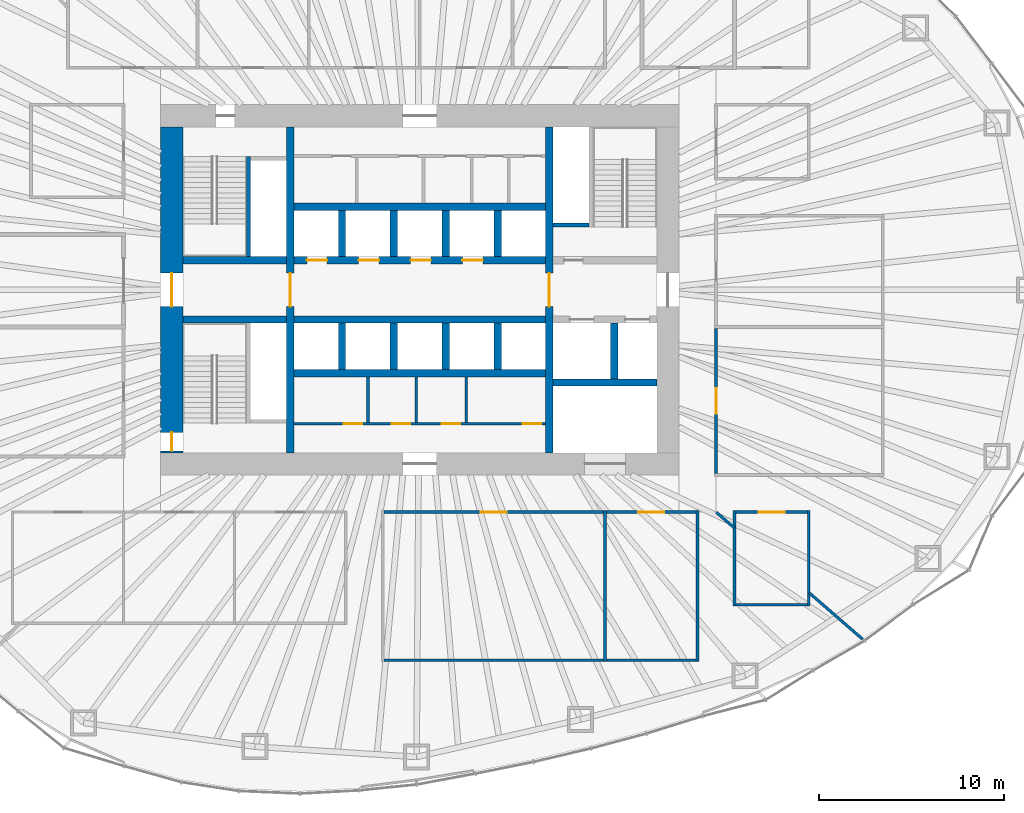
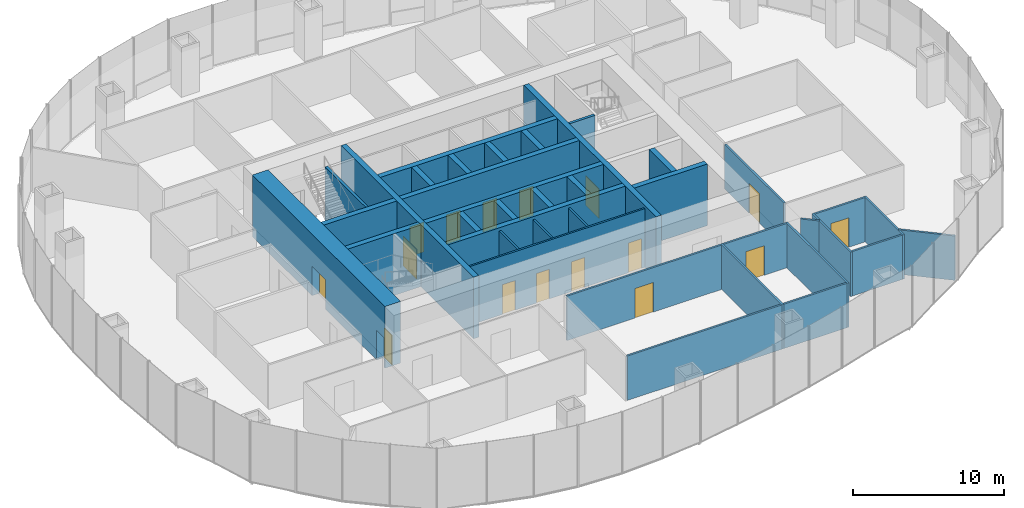
# One storey, part 10 of 18: 38 walls, 16 doors, 16 openings.
"""IFC4 building model written with IfcOpenShell, lengths in metres."""

from ifc_helpers import new_model, si_unit, direction, frame, frame_2d, origin, place, context, subcontext, project, spatial, rectangle, extrude, material, layer, layer_set, type_object, element, fill, save


model = new_model("IFC4")

# Units and contexts
model_context = context("Model", 3, precision=1e-05, world=origin(), true_north=direction((0.0, 1.0)))
body_context = subcontext(model_context, "Body", "Model", "MODEL_VIEW")
ifc_project = project(units=[si_unit("LENGTHUNIT", "METRE"), si_unit("AREAUNIT", "SQUARE_METRE"), si_unit("VOLUMEUNIT", "CUBIC_METRE"), si_unit("PLANEANGLEUNIT", "RADIAN"), si_unit("MASSUNIT", "GRAM", prefix="KILO")], contexts=[model_context])

# Site, building, storey
site_placement = place(None, origin())
site = spatial("IfcSite", under=ifc_project, at=site_placement, CompositionType="ELEMENT")
building_placement = place(site_placement, origin())
building = spatial("IfcBuilding", under=site, at=building_placement, Name="Ghaith Harvest Tower", CompositionType="ELEMENT")
storey_placement = place(building_placement, frame((0.0, 0.0, 95.0)))
storey = spatial("IfcBuildingStorey", under=building, at=storey_placement, Name="L19", CompositionType="ELEMENT", Elevation=95.0)

# Wall, openings, doors
ifc_material_1 = material(Name="Concrete blockwork, fair-faced", Category="masonry")
ifc_layer_1 = layer(ifc_material_1, 0.139892578125)
ifc_layer_set_1 = layer_set([ifc_layer_1], Name="CORE PARTITION 140")
wall_type_1 = type_object("IfcWallType", Name="CORE PARTITION 140", PredefinedType="PARTITIONING", material=ifc_layer_set_1)
wall_1_placement = place(storey_placement, frame((-6.800048828125, -7.22998046875, 0.0), z_axis=(0.0, 0.0, 1.0), x_axis=(1.0, 0.0, 0.0)))
wall_1 = element("IfcWall", 1, at=wall_1_placement, inside=storey, type_object=wall_type_1, Name="Core partition L19", PredefinedType="PARTITIONING", context=body_context, shape_type="SweptSolid", body=[
    extrude(rectangle(XDim=13.60009765625, YDim=0.139892578125, at=frame_2d((6.800048828125, 0.0))), origin(), (0.0, 0.0, 1.0), 4.75),
])
opening_1_placement = place(wall_1_placement, frame((2.679931640625, 0.0, 0.0)))
opening_1 = element("IfcOpeningElement", 2, at=opening_1_placement, cuts=wall_1, Name="Opening 19-013", PredefinedType="OPENING", context=body_context, shape_type="SweptSolid", body=[
    extrude(rectangle(XDim=1.0, YDim=2.39990234375, at=frame_2d((0.5, 1.199951171875))), frame((0.0, 0.080078125, 0.0), z_axis=(0.0, -1.0, 0.0), x_axis=(1.0, 0.0, 0.0)), (0.0, 0.0, 1.0), 0.159912109375),
])
opening_2_placement = place(wall_1_placement, frame((5.280029296875, 0.0, 0.0)))
opening_2 = element("IfcOpeningElement", 3, at=opening_2_placement, cuts=wall_1, Name="Opening 19-014", PredefinedType="OPENING", context=body_context, shape_type="SweptSolid", body=[
    extrude(rectangle(XDim=1.0, YDim=2.39990234375, at=frame_2d((0.5, 1.199951171875))), frame((0.0, 0.080078125, 0.0), z_axis=(0.0, -1.0, 0.0), x_axis=(1.0, 0.0, 0.0)), (0.0, 0.0, 1.0), 0.159912109375),
])
opening_3_placement = place(wall_1_placement, frame((7.97998046875, 0.0, 0.0)))
opening_3 = element("IfcOpeningElement", 4, at=opening_3_placement, cuts=wall_1, Name="Opening 19-015", PredefinedType="OPENING", context=body_context, shape_type="SweptSolid", body=[
    extrude(rectangle(XDim=1.0, YDim=2.39990234375, at=frame_2d((0.5, 1.199951171875))), frame((0.0, 0.080078125, 0.0), z_axis=(0.0, -1.0, 0.0), x_axis=(1.0, 0.0, 0.0)), (0.0, 0.0, 1.0), 0.159912109375),
])
opening_4_placement = place(wall_1_placement, frame((12.35009765625, 0.0, 0.0)))
opening_4 = element("IfcOpeningElement", 5, at=opening_4_placement, cuts=wall_1, Name="Opening 19-016", PredefinedType="OPENING", context=body_context, shape_type="SweptSolid", body=[
    extrude(rectangle(XDim=1.0, YDim=2.39990234375, at=frame_2d((0.5, 1.199951171875))), frame((0.0, 0.080078125, 0.0), z_axis=(0.0, -1.0, 0.0), x_axis=(1.0, 0.0, 0.0)), (0.0, 0.0, 1.0), 0.159912109375),
])
ifc_material_2 = material(Name="Steel fire door", Category="steel")
door_type_1 = type_object("IfcDoorType", Name="D3 FD90 1000x2400", OperationType="SINGLE_SWING_LEFT", PredefinedType="DOOR", material=ifc_material_2)
door_1_placement = place(opening_1_placement, origin())
door_1 = element("IfcDoor", 6, at=door_1_placement, inside=storey, type_object=door_type_1, Name="Electrical room door", OperationType="SINGLE_SWING_LEFT", OverallHeight=2.39990234375, OverallWidth=1.0, PredefinedType="DOOR", context=body_context, shape_type="SweptSolid", body=[
    extrude(rectangle(XDim=1.0, YDim=2.39990234375, at=frame_2d((0.5, 1.199951171875))), frame((0.0, 0.02490234375, 0.0), z_axis=(0.0, -1.0, 0.0), x_axis=(1.0, 0.0, 0.0)), (0.0, 0.0, 1.0), 0.050048828125),
])
fill(opening_1, door_1)
door_2_placement = place(opening_2_placement, origin())
door_2 = element("IfcDoor", 7, at=door_2_placement, inside=storey, type_object=door_type_1, Name="Communications equipment room door", OperationType="SINGLE_SWING_LEFT", OverallHeight=2.39990234375, OverallWidth=1.0, PredefinedType="DOOR", context=body_context, shape_type="SweptSolid", body=[
    extrude(rectangle(XDim=1.0, YDim=2.39990234375, at=frame_2d((0.5, 1.199951171875))), frame((0.0, 0.02490234375, 0.0), z_axis=(0.0, -1.0, 0.0), x_axis=(1.0, 0.0, 0.0)), (0.0, 0.0, 1.0), 0.050048828125),
])
fill(opening_2, door_2)
door_3_placement = place(opening_3_placement, origin())
door_3 = element("IfcDoor", 8, at=door_3_placement, inside=storey, type_object=door_type_1, Name="Staff WC door", OperationType="SINGLE_SWING_RIGHT", OverallHeight=2.39990234375, OverallWidth=1.0, PredefinedType="DOOR", context=body_context, shape_type="SweptSolid", body=[
    extrude(rectangle(XDim=1.0, YDim=2.39990234375, at=frame_2d((0.5, 1.199951171875))), frame((0.0, 0.02490234375, 0.0), z_axis=(0.0, -1.0, 0.0), x_axis=(1.0, 0.0, 0.0)), (0.0, 0.0, 1.0), 0.050048828125),
])
fill(opening_3, door_3)
door_4_placement = place(opening_4_placement, origin())
door_4 = element("IfcDoor", 9, at=door_4_placement, inside=storey, type_object=door_type_1, Name="Riser room door", OperationType="SINGLE_SWING_RIGHT", OverallHeight=2.39990234375, OverallWidth=1.0, PredefinedType="DOOR", context=body_context, shape_type="SweptSolid", body=[
    extrude(rectangle(XDim=1.0, YDim=2.39990234375, at=frame_2d((0.5, 1.199951171875))), frame((0.0, 0.02490234375, 0.0), z_axis=(0.0, -1.0, 0.0), x_axis=(1.0, 0.0, 0.0)), (0.0, 0.0, 1.0), 0.050048828125),
])
fill(opening_4, door_4)

# Walls
for number, where, z_axis, x_axis, name in (
    (10, (-2.800048828125, -4.699951171875, 0.0), (0.0, 0.0, 1.0), (0.0, -1.0, 0.0), "Core partition L19"),
    (11, (-0.199951171875, -4.699951171875, 0.0), (0.0, 0.0, 1.0), (0.0, -1.0, 0.0), "Core partition L19"),
    (12, (2.5, -4.699951171875, 0.0), (0.0, 0.0, 1.0), (0.0, -1.0, 0.0), "Core partition L19"),
):
    element("IfcWall", number, at=place(storey_placement, frame(where, z_axis=z_axis, x_axis=x_axis)), inside=storey, type_object=wall_type_1, Name=name, PredefinedType="PARTITIONING", context=body_context, shape_type="SweptSolid", body=[
        extrude(rectangle(XDim=2.4599609375, YDim=0.139892578125, at=frame_2d((1.22998046875, 0.0))), origin(), (0.0, 0.0, 1.0), 4.75),
    ])

# Wall, openings, doors
ifc_material_3 = material(Name="Concrete C70/85", Category="concrete")
ifc_layer_2 = layer(ifc_material_3, 1.199951171875)
ifc_layer_set_2 = layer_set([ifc_layer_2], Name="CORE WALL CW1200")
wall_type_2 = type_object("IfcWallType", Name="CORE WALL CW1200", PredefinedType="SHEAR", material=ifc_layer_set_2)
wall_2_placement = place(storey_placement, frame((-13.39990234375, 8.800048828125, 0.0), z_axis=(0.0, 0.0, 1.0), x_axis=(0.0, -1.0, 0.0)))
wall_2 = element("IfcWall", 13, at=wall_2_placement, inside=storey, type_object=wall_type_2, Name="Core wall W L19", PredefinedType="SHEAR", context=body_context, shape_type="SweptSolid", body=[
    extrude(rectangle(XDim=17.60009765625, YDim=1.199951171875, at=frame_2d((8.800048828125, 0.0))), origin(), (0.0, 0.0, 1.0), 5.0),
])
opening_5_placement = place(wall_2_placement, frame((7.89990234375, 0.0, 0.0)))
opening_5 = element("IfcOpeningElement", 14, at=opening_5_placement, cuts=wall_2, Name="Opening 19-001", PredefinedType="OPENING", context=body_context, shape_type="SweptSolid", body=[
    extrude(rectangle(XDim=1.800048828125, YDim=2.39990234375, at=frame_2d((0.89990234375, 1.199951171875))), frame((0.0, 0.60986328125, 0.0), z_axis=(0.0, -1.0, 0.0), x_axis=(1.0, 0.0, 0.0)), (0.0, 0.0, 1.0), 1.219970703125),
])
opening_6_placement = place(wall_2_placement, frame((16.5, 0.0, 0.0)))
opening_6 = element("IfcOpeningElement", 15, at=opening_6_placement, cuts=wall_2, Name="Opening 19-006", PredefinedType="OPENING", context=body_context, shape_type="SweptSolid", body=[
    extrude(rectangle(XDim=1.0, YDim=2.39990234375, at=frame_2d((0.5, 1.199951171875))), frame((0.0, 0.60986328125, 0.0), z_axis=(0.0, -1.0, 0.0), x_axis=(1.0, 0.0, 0.0)), (0.0, 0.0, 1.0), 1.219970703125),
])
door_5_placement = place(opening_6_placement, origin())
door_5 = element("IfcDoor", 16, at=door_5_placement, inside=storey, type_object=door_type_1, Name="Stair ST3 door", OperationType="SINGLE_SWING_RIGHT", OverallHeight=2.39990234375, OverallWidth=1.0, PredefinedType="DOOR", context=body_context, shape_type="SweptSolid", body=[
    extrude(rectangle(XDim=1.0, YDim=2.39990234375, at=frame_2d((0.5, 1.199951171875))), frame((0.0, 0.02490234375, 0.0), z_axis=(0.0, -1.0, 0.0), x_axis=(1.0, 0.0, 0.0)), (0.0, 0.0, 1.0), 0.050048828125),
])
fill(opening_6, door_5)
ifc_material_4 = material(Name="Steel fire door", Category="steel")
door_type_2 = type_object("IfcDoorType", Name="D4 FD90 PAIR 1800x2400", OperationType="DOUBLE_DOOR_SINGLE_SWING", PredefinedType="DOOR", material=ifc_material_4)
door_6_placement = place(opening_5_placement, origin())
door_6 = element("IfcDoor", 17, at=door_6_placement, inside=storey, type_object=door_type_2, Name="West lobby doors", OperationType="DOUBLE_DOOR_SINGLE_SWING", OverallHeight=2.39990234375, OverallWidth=1.800048828125, PredefinedType="DOOR", context=body_context, shape_type="SweptSolid", body=[
    extrude(rectangle(XDim=1.800048828125, YDim=2.39990234375, at=frame_2d((0.89990234375, 1.199951171875))), frame((0.0, 0.02490234375, 0.0), z_axis=(0.0, -1.0, 0.0), x_axis=(1.0, 0.0, 0.0)), (0.0, 0.0, 1.0), 0.050048828125),
])
fill(opening_5, door_6)

# Walls
ifc_material_5 = material(Name="Gypsum board on steel studs", Category="steel")
ifc_layer_3 = layer(ifc_material_5, 0.14990234375)
ifc_layer_set_3 = layer_set([ifc_layer_3], Name="PARTITION 150")
wall_type_3 = type_object("IfcWallType", Name="PARTITION 150", PredefinedType="PARTITIONING", material=ifc_layer_set_3)
for number, where, z_axis, x_axis, name in (
    (18, (10.0, -11.925048828125, 0.0), (0.0, 0.0, 1.0), (0.0, -1.0, 0.0), "Partition L19 row S1 cross wall 2"),
    (19, (15.0, -11.925048828125, 0.0), (0.0, 0.0, 1.0), (0.0, -1.0, 0.0), "Partition L19 row S1 cross wall 3"),
):
    element("IfcWall", number, at=place(storey_placement, frame(where, z_axis=z_axis, x_axis=x_axis)), inside=storey, type_object=wall_type_3, Name=name, PredefinedType="PARTITIONING", context=body_context, shape_type="SweptSolid", body=[
        extrude(rectangle(XDim=8.14990234375, YDim=0.14990234375, at=frame_2d((4.074951171875, 0.0))), origin(), (0.0, 0.0, 1.0), 3.60009765625),
    ])

# Wall, opening, door
wall_3_placement = place(storey_placement, frame((-1.925048828125, -12.0, 0.0), z_axis=(0.0, 0.0, 1.0), x_axis=(1.0, 0.0, 0.0)))
wall_3 = element("IfcWall", 20, at=wall_3_placement, inside=storey, type_object=wall_type_3, Name="Partition L19-01", PredefinedType="PARTITIONING", context=body_context, shape_type="SweptSolid", body=[
    extrude(rectangle(XDim=11.85009765625, YDim=0.14990234375, at=frame_2d((5.925048828125, 0.0))), origin(), (0.0, 0.0, 1.0), 3.60009765625),
])
opening_7_placement = place(wall_3_placement, frame((5.22509765625, 0.0, 0.0)))
opening_7 = element("IfcOpeningElement", 21, at=opening_7_placement, cuts=wall_3, Name="Opening 19-026", PredefinedType="OPENING", context=body_context, shape_type="SweptSolid", body=[
    extrude(rectangle(XDim=1.39990234375, YDim=2.39990234375, at=frame_2d((0.699951171875, 1.199951171875))), frame((0.0, 0.0849609375, 0.0), z_axis=(0.0, -1.0, 0.0), x_axis=(1.0, 0.0, 0.0)), (0.0, 0.0, 1.0), 0.169921875),
])
ifc_material_6 = material(Name="Stainless steel faced door pair", Category="steel")
door_type_3 = type_object("IfcDoorType", Name="D14 HYGIENE PAIR 1400x2400", OperationType="DOUBLE_DOOR_DOUBLE_SWING", PredefinedType="DOOR", material=ifc_material_6)
door_7_placement = place(opening_7_placement, origin())
door_7 = element("IfcDoor", 22, at=door_7_placement, inside=storey, type_object=door_type_3, Name="Packing room door", OperationType="DOUBLE_DOOR_DOUBLE_SWING", OverallHeight=2.39990234375, OverallWidth=1.39990234375, PredefinedType="DOOR", context=body_context, shape_type="SweptSolid", body=[
    extrude(rectangle(XDim=1.39990234375, YDim=2.39990234375, at=frame_2d((0.699951171875, 1.199951171875))), frame((0.0, 0.02490234375, 0.0), z_axis=(0.0, -1.0, 0.0), x_axis=(1.0, 0.0, 0.0)), (0.0, 0.0, 1.0), 0.050048828125),
])
fill(opening_7, door_7)

# Wall
wall_4_placement = place(storey_placement, frame((-1.925048828125, -20.0, 0.0), z_axis=(0.0, 0.0, 1.0), x_axis=(1.0, 0.0, 0.0)))
element("IfcWall", 23, at=wall_4_placement, inside=storey, type_object=wall_type_3, Name="Partition L19-01", PredefinedType="PARTITIONING", context=body_context, shape_type="SweptSolid", body=[
    extrude(rectangle(XDim=11.85009765625, YDim=0.14990234375, at=frame_2d((5.925048828125, 0.0))), origin(), (0.0, 0.0, 1.0), 3.60009765625),
])

# Wall, opening, door
wall_5_placement = place(storey_placement, frame((10.074951171875, -12.0, 0.0), z_axis=(0.0, 0.0, 1.0), x_axis=(1.0, 0.0, 0.0)))
wall_5 = element("IfcWall", 24, at=wall_5_placement, inside=storey, type_object=wall_type_3, Name="Partition L19-02", PredefinedType="PARTITIONING", context=body_context, shape_type="SweptSolid", body=[
    extrude(rectangle(XDim=4.85009765625, YDim=0.14990234375, at=frame_2d((2.425048828125, 0.0))), origin(), (0.0, 0.0, 1.0), 3.60009765625),
])
opening_8_placement = place(wall_5_placement, frame((1.72509765625, 0.0, 0.0)))
opening_8 = element("IfcOpeningElement", 25, at=opening_8_placement, cuts=wall_5, Name="Opening 19-027", PredefinedType="OPENING", context=body_context, shape_type="SweptSolid", body=[
    extrude(rectangle(XDim=1.39990234375, YDim=2.39990234375, at=frame_2d((0.699951171875, 1.199951171875))), frame((0.0, 0.0849609375, 0.0), z_axis=(0.0, -1.0, 0.0), x_axis=(1.0, 0.0, 0.0)), (0.0, 0.0, 1.0), 0.169921875),
])
door_8_placement = place(opening_8_placement, origin())
door_8 = element("IfcDoor", 26, at=door_8_placement, inside=storey, type_object=door_type_3, Name="Dispatch room door", OperationType="DOUBLE_DOOR_DOUBLE_SWING", OverallHeight=2.39990234375, OverallWidth=1.39990234375, PredefinedType="DOOR", context=body_context, shape_type="SweptSolid", body=[
    extrude(rectangle(XDim=1.39990234375, YDim=2.39990234375, at=frame_2d((0.699951171875, 1.199951171875))), frame((0.0, 0.02490234375, 0.0), z_axis=(0.0, -1.0, 0.0), x_axis=(1.0, 0.0, 0.0)), (0.0, 0.0, 1.0), 0.050048828125),
])
fill(opening_8, door_8)

# Wall
wall_6_placement = place(storey_placement, frame((10.074951171875, -20.0, 0.0), z_axis=(0.0, 0.0, 1.0), x_axis=(1.0, 0.0, 0.0)))
element("IfcWall", 27, at=wall_6_placement, inside=storey, type_object=wall_type_3, Name="Partition L19-02", PredefinedType="PARTITIONING", context=body_context, shape_type="SweptSolid", body=[
    extrude(rectangle(XDim=4.85009765625, YDim=0.14990234375, at=frame_2d((2.425048828125, 0.0))), origin(), (0.0, 0.0, 1.0), 3.60009765625),
])

# Wall, opening, door
wall_7_placement = place(storey_placement, frame((16.0, -9.925048828125, 0.0), z_axis=(0.0, 0.0, 1.0), x_axis=(0.0, 1.0, 0.0)))
wall_7 = element("IfcWall", 28, at=wall_7_placement, inside=storey, type_object=wall_type_3, Name="Partition L19-06", PredefinedType="PARTITIONING", context=body_context, shape_type="SweptSolid", body=[
    extrude(rectangle(XDim=7.85009765625, YDim=0.14990234375, at=frame_2d((3.925048828125, 0.0))), origin(), (0.0, 0.0, 1.0), 3.60009765625),
])
opening_9_placement = place(wall_7_placement, frame((3.22509765625, 0.0, 0.0)))
opening_9 = element("IfcOpeningElement", 29, at=opening_9_placement, cuts=wall_7, Name="Opening 19-031", PredefinedType="OPENING", context=body_context, shape_type="SweptSolid", body=[
    extrude(rectangle(XDim=1.39990234375, YDim=2.39990234375, at=frame_2d((0.699951171875, 1.199951171875))), frame((0.0, 0.0849609375, 0.0), z_axis=(0.0, -1.0, 0.0), x_axis=(1.0, 0.0, 0.0)), (0.0, 0.0, 1.0), 0.169921875),
])
door_9_placement = place(opening_9_placement, origin())
door_9 = element("IfcDoor", 30, at=door_9_placement, inside=storey, type_object=door_type_3, Name="Washing room door", OperationType="DOUBLE_DOOR_DOUBLE_SWING", OverallHeight=2.39990234375, OverallWidth=1.39990234375, PredefinedType="DOOR", context=body_context, shape_type="SweptSolid", body=[
    extrude(rectangle(XDim=1.39990234375, YDim=2.39990234375, at=frame_2d((0.699951171875, 1.199951171875))), frame((0.0, 0.02490234375, 0.0), z_axis=(0.0, -1.0, 0.0), x_axis=(1.0, 0.0, 0.0)), (0.0, 0.0, 1.0), 0.050048828125),
])
fill(opening_9, door_9)

# Walls
for number, where, z_axis, x_axis, name in (
    (31, (17.0, -11.925048828125, 0.0), (0.0, 0.0, 1.0), (0.0, -1.0, 0.0), "Partition L19 row S7 cross wall 1"),
    (32, (21.0, -11.925048828125, 0.0), (0.0, 0.0, 1.0), (0.0, -1.0, 0.0), "Partition L19 row S7 cross wall 2"),
):
    element("IfcWall", number, at=place(storey_placement, frame(where, z_axis=z_axis, x_axis=x_axis)), inside=storey, type_object=wall_type_3, Name=name, PredefinedType="PARTITIONING", context=body_context, shape_type="SweptSolid", body=[
        extrude(rectangle(XDim=5.14990234375, YDim=0.14990234375, at=frame_2d((2.574951171875, 0.0))), origin(), (0.0, 0.0, 1.0), 3.60009765625),
    ])

# Wall, opening, door
wall_8_placement = place(storey_placement, frame((17.074951171875, -12.0, 0.0), z_axis=(0.0, 0.0, 1.0), x_axis=(1.0, 0.0, 0.0)))
wall_8 = element("IfcWall", 33, at=wall_8_placement, inside=storey, type_object=wall_type_3, Name="Partition L19-17", PredefinedType="PARTITIONING", context=body_context, shape_type="SweptSolid", body=[
    extrude(rectangle(XDim=3.85009765625, YDim=0.14990234375, at=frame_2d((1.925048828125, 0.0))), origin(), (0.0, 0.0, 1.0), 3.60009765625),
])
opening_10_placement = place(wall_8_placement, frame((1.22509765625, 0.0, 0.0)))
opening_10 = element("IfcOpeningElement", 34, at=opening_10_placement, cuts=wall_8, Name="Opening 19-042", PredefinedType="OPENING", context=body_context, shape_type="SweptSolid", body=[
    extrude(rectangle(XDim=1.39990234375, YDim=2.39990234375, at=frame_2d((0.699951171875, 1.199951171875))), frame((0.0, 0.0849609375, 0.0), z_axis=(0.0, -1.0, 0.0), x_axis=(1.0, 0.0, 0.0)), (0.0, 0.0, 1.0), 0.169921875),
])
door_10_placement = place(opening_10_placement, origin())
door_10 = element("IfcDoor", 35, at=door_10_placement, inside=storey, type_object=door_type_3, Name="Trolley store door", OperationType="DOUBLE_DOOR_DOUBLE_SWING", OverallHeight=2.39990234375, OverallWidth=1.39990234375, PredefinedType="DOOR", context=body_context, shape_type="SweptSolid", body=[
    extrude(rectangle(XDim=1.39990234375, YDim=2.39990234375, at=frame_2d((0.699951171875, 1.199951171875))), frame((0.0, 0.02490234375, 0.0), z_axis=(0.0, -1.0, 0.0), x_axis=(1.0, 0.0, 0.0)), (0.0, 0.0, 1.0), 0.050048828125),
])
fill(opening_10, door_10)

# Walls
wall_9_placement = place(storey_placement, frame((17.074951171875, -17.0, 0.0), z_axis=(0.0, 0.0, 1.0), x_axis=(1.0, 0.0, 0.0)))
element("IfcWall", 36, at=wall_9_placement, inside=storey, type_object=wall_type_3, Name="Partition L19-17", PredefinedType="PARTITIONING", context=body_context, shape_type="SweptSolid", body=[
    extrude(rectangle(XDim=3.85009765625, YDim=0.14990234375, at=frame_2d((1.925048828125, 0.0))), origin(), (0.0, 0.0, 1.0), 3.60009765625),
])
wall_10_placement = place(storey_placement, frame((21.02001953125, -16.35400390625, 0.0), z_axis=(0.0, 0.0, 1.0), x_axis=(0.755425653008, -0.655234372402, 0.0)))
element("IfcWall", 37, at=wall_10_placement, inside=storey, type_object=wall_type_3, Name="Partition L19 zone division", PredefinedType="PARTITIONING", context=body_context, shape_type="SweptSolid", body=[
    extrude(rectangle(XDim=3.8232421875, YDim=0.14990234375, at=frame_2d((1.91162109375, 0.0))), origin(), (0.0, 0.0, 1.0), 3.60009765625),
])
wall_11_placement = place(storey_placement, frame((16.01513671875, -12.01318359375, 0.0), z_axis=(0.0, 0.0, 1.0), x_axis=(0.755411512729, -0.655250674503, 0.0)))
element("IfcWall", 38, at=wall_11_placement, inside=storey, type_object=wall_type_3, Name="Partition L19 zone division", PredefinedType="PARTITIONING", context=body_context, shape_type="SweptSolid", body=[
    extrude(rectangle(XDim=1.27734375, YDim=0.14990234375, at=frame_2d((0.638671875, 0.0))), origin(), (0.0, 0.0, 1.0), 3.60009765625),
])

# Wall, opening, door
ifc_material_7 = material(Name="Concrete C70/85", Category="concrete")
ifc_layer_4 = layer(ifc_material_7, 0.39990234375)
ifc_layer_set_4 = layer_set([ifc_layer_4], Name="SHAFT WALL 400")
wall_type_4 = type_object("IfcWallType", Name="SHAFT WALL 400", PredefinedType="SHEAR", material=ifc_layer_set_4)
wall_12_placement = place(storey_placement, frame((-7.0, -8.800048828125, 0.0), z_axis=(0.0, 0.0, 1.0), x_axis=(0.0, 1.0, 0.0)))
wall_12 = element("IfcWall", 39, at=wall_12_placement, inside=storey, type_object=wall_type_4, Name="Shaft wall W7W L19", PredefinedType="SHEAR", context=body_context, shape_type="SweptSolid", body=[
    extrude(rectangle(XDim=17.60009765625, YDim=0.39990234375, at=frame_2d((8.800048828125, 0.0))), origin(), (0.0, 0.0, 1.0), 5.0),
])
opening_11_placement = place(wall_12_placement, frame((7.89990234375, 0.0, 0.0)))
opening_11 = element("IfcOpeningElement", 40, at=opening_11_placement, cuts=wall_12, Name="Opening 19-003", PredefinedType="OPENING", context=body_context, shape_type="SweptSolid", body=[
    extrude(rectangle(XDim=1.800048828125, YDim=2.39990234375, at=frame_2d((0.89990234375, 1.199951171875))), frame((0.0, 0.2099609375, 0.0), z_axis=(0.0, -1.0, 0.0), x_axis=(1.0, 0.0, 0.0)), (0.0, 0.0, 1.0), 0.419921875),
])
door_11_placement = place(opening_11_placement, origin())
door_11 = element("IfcDoor", 41, at=door_11_placement, inside=storey, type_object=door_type_2, Name="Lift lobby doors, west", OperationType="DOUBLE_DOOR_SINGLE_SWING", OverallHeight=2.39990234375, OverallWidth=1.800048828125, PredefinedType="DOOR", context=body_context, shape_type="SweptSolid", body=[
    extrude(rectangle(XDim=1.800048828125, YDim=2.39990234375, at=frame_2d((0.89990234375, 1.199951171875))), frame((0.0, 0.02490234375, 0.0), z_axis=(0.0, -1.0, 0.0), x_axis=(1.0, 0.0, 0.0)), (0.0, 0.0, 1.0), 0.050048828125),
])
fill(opening_11, door_11)

wall_13_placement = place(storey_placement, frame((7.0, -8.800048828125, 0.0), z_axis=(0.0, 0.0, 1.0), x_axis=(0.0, 1.0, 0.0)))
wall_13 = element("IfcWall", 42, at=wall_13_placement, inside=storey, type_object=wall_type_4, Name="Shaft wall W7E L19", PredefinedType="SHEAR", context=body_context, shape_type="SweptSolid", body=[
    extrude(rectangle(XDim=17.60009765625, YDim=0.39990234375, at=frame_2d((8.800048828125, 0.0))), origin(), (0.0, 0.0, 1.0), 5.0),
])
opening_12_placement = place(wall_13_placement, frame((7.89990234375, 0.0, 0.0)))
opening_12 = element("IfcOpeningElement", 43, at=opening_12_placement, cuts=wall_13, Name="Opening 19-004", PredefinedType="OPENING", context=body_context, shape_type="SweptSolid", body=[
    extrude(rectangle(XDim=1.800048828125, YDim=2.39990234375, at=frame_2d((0.89990234375, 1.199951171875))), frame((0.0, 0.2099609375, 0.0), z_axis=(0.0, -1.0, 0.0), x_axis=(1.0, 0.0, 0.0)), (0.0, 0.0, 1.0), 0.419921875),
])
door_12_placement = place(opening_12_placement, origin())
door_12 = element("IfcDoor", 44, at=door_12_placement, inside=storey, type_object=door_type_2, Name="Lift lobby doors, east", OperationType="DOUBLE_DOOR_SINGLE_SWING", OverallHeight=2.39990234375, OverallWidth=1.800048828125, PredefinedType="DOOR", context=body_context, shape_type="SweptSolid", body=[
    extrude(rectangle(XDim=1.800048828125, YDim=2.39990234375, at=frame_2d((0.89990234375, 1.199951171875))), frame((0.0, 0.02490234375, 0.0), z_axis=(0.0, -1.0, 0.0), x_axis=(1.0, 0.0, 0.0)), (0.0, 0.0, 1.0), 0.050048828125),
])
fill(opening_12, door_12)

# Wall, openings, doors
wall_14_placement = place(storey_placement, frame((-6.800048828125, 1.60009765625, 0.0), z_axis=(0.0, 0.0, 1.0), x_axis=(1.0, 0.0, 0.0)))
wall_14 = element("IfcWall", 45, at=wall_14_placement, inside=storey, type_object=wall_type_4, Name="Shaft wall LN L19", PredefinedType="SHEAR", context=body_context, shape_type="SweptSolid", body=[
    extrude(rectangle(XDim=13.60009765625, YDim=0.39990234375, at=frame_2d((6.800048828125, 0.0))), origin(), (0.0, 0.0, 1.0), 5.0),
])
opening_13_placement = place(wall_14_placement, frame((0.699951171875, 0.0, 0.0)))
opening_13 = element("IfcOpeningElement", 46, at=opening_13_placement, cuts=wall_14, Name="Opening 19-019", PredefinedType="OPENING", context=body_context, shape_type="SweptSolid", body=[
    extrude(rectangle(XDim=1.10009765625, YDim=2.39990234375, at=frame_2d((0.550048828125, 1.199951171875))), frame((0.0, 0.2099609375, 0.0), z_axis=(0.0, -1.0, 0.0), x_axis=(1.0, 0.0, 0.0)), (0.0, 0.0, 1.0), 0.419921875),
])
opening_14_placement = place(wall_14_placement, frame((3.5, 0.0, 0.0)))
opening_14 = element("IfcOpeningElement", 47, at=opening_14_placement, cuts=wall_14, Name="Opening 19-020", PredefinedType="OPENING", context=body_context, shape_type="SweptSolid", body=[
    extrude(rectangle(XDim=1.10009765625, YDim=2.39990234375, at=frame_2d((0.550048828125, 1.199951171875))), frame((0.0, 0.2099609375, 0.0), z_axis=(0.0, -1.0, 0.0), x_axis=(1.0, 0.0, 0.0)), (0.0, 0.0, 1.0), 0.419921875),
])
opening_15_placement = place(wall_14_placement, frame((6.300048828125, 0.0, 0.0)))
opening_15 = element("IfcOpeningElement", 48, at=opening_15_placement, cuts=wall_14, Name="Opening 19-021", PredefinedType="OPENING", context=body_context, shape_type="SweptSolid", body=[
    extrude(rectangle(XDim=1.10009765625, YDim=2.39990234375, at=frame_2d((0.550048828125, 1.199951171875))), frame((0.0, 0.2099609375, 0.0), z_axis=(0.0, -1.0, 0.0), x_axis=(1.0, 0.0, 0.0)), (0.0, 0.0, 1.0), 0.419921875),
])
opening_16_placement = place(wall_14_placement, frame((9.10009765625, 0.0, 0.0)))
opening_16 = element("IfcOpeningElement", 49, at=opening_16_placement, cuts=wall_14, Name="Opening 19-022", PredefinedType="OPENING", context=body_context, shape_type="SweptSolid", body=[
    extrude(rectangle(XDim=1.10009765625, YDim=2.39990234375, at=frame_2d((0.550048828125, 1.199951171875))), frame((0.0, 0.2099609375, 0.0), z_axis=(0.0, -1.0, 0.0), x_axis=(1.0, 0.0, 0.0)), (0.0, 0.0, 1.0), 0.419921875),
])
ifc_material_8 = material(Name="Steel fire door", Category="steel")
door_type_4 = type_object("IfcDoorType", Name="LD1 LANDING 1100x2400", OperationType="DOUBLE_DOOR_SLIDING", PredefinedType="DOOR", material=ifc_material_8)
door_13_placement = place(opening_13_placement, origin())
door_13 = element("IfcDoor", 50, at=door_13_placement, inside=storey, type_object=door_type_4, Name="Landing door, lift FA1", OperationType="DOUBLE_DOOR_SLIDING", OverallHeight=2.39990234375, OverallWidth=1.10009765625, PredefinedType="DOOR", context=body_context, shape_type="SweptSolid", body=[
    extrude(rectangle(XDim=1.10009765625, YDim=2.39990234375, at=frame_2d((0.550048828125, 1.199951171875))), frame((0.0, 0.02490234375, 0.0), z_axis=(0.0, -1.0, 0.0), x_axis=(1.0, 0.0, 0.0)), (0.0, 0.0, 1.0), 0.050048828125),
])
fill(opening_13, door_13)
door_14_placement = place(opening_14_placement, origin())
door_14 = element("IfcDoor", 51, at=door_14_placement, inside=storey, type_object=door_type_4, Name="Landing door, lift FA2", OperationType="DOUBLE_DOOR_SLIDING", OverallHeight=2.39990234375, OverallWidth=1.10009765625, PredefinedType="DOOR", context=body_context, shape_type="SweptSolid", body=[
    extrude(rectangle(XDim=1.10009765625, YDim=2.39990234375, at=frame_2d((0.550048828125, 1.199951171875))), frame((0.0, 0.02490234375, 0.0), z_axis=(0.0, -1.0, 0.0), x_axis=(1.0, 0.0, 0.0)), (0.0, 0.0, 1.0), 0.050048828125),
])
fill(opening_14, door_14)
door_15_placement = place(opening_15_placement, origin())
door_15 = element("IfcDoor", 52, at=door_15_placement, inside=storey, type_object=door_type_4, Name="Landing door, lift FA3", OperationType="DOUBLE_DOOR_SLIDING", OverallHeight=2.39990234375, OverallWidth=1.10009765625, PredefinedType="DOOR", context=body_context, shape_type="SweptSolid", body=[
    extrude(rectangle(XDim=1.10009765625, YDim=2.39990234375, at=frame_2d((0.550048828125, 1.199951171875))), frame((0.0, 0.02490234375, 0.0), z_axis=(0.0, -1.0, 0.0), x_axis=(1.0, 0.0, 0.0)), (0.0, 0.0, 1.0), 0.050048828125),
])
fill(opening_15, door_15)
door_16_placement = place(opening_16_placement, origin())
door_16 = element("IfcDoor", 53, at=door_16_placement, inside=storey, type_object=door_type_4, Name="Landing door, lift FA4", OperationType="DOUBLE_DOOR_SLIDING", OverallHeight=2.39990234375, OverallWidth=1.10009765625, PredefinedType="DOOR", context=body_context, shape_type="SweptSolid", body=[
    extrude(rectangle(XDim=1.10009765625, YDim=2.39990234375, at=frame_2d((0.550048828125, 1.199951171875))), frame((0.0, 0.02490234375, 0.0), z_axis=(0.0, -1.0, 0.0), x_axis=(1.0, 0.0, 0.0)), (0.0, 0.0, 1.0), 0.050048828125),
])
fill(opening_16, door_16)

# Walls
for number, where, z_axis, x_axis, name in (
    (54, (-6.800048828125, -1.60009765625, 0.0), (0.0, 0.0, 1.0), (1.0, 0.0, 0.0), "Shaft wall LS L19"),
    (55, (-6.800048828125, 4.5, 0.0), (0.0, 0.0, 1.0), (1.0, 0.0, 0.0), "Shaft wall BN L19"),
    (56, (-6.800048828125, -4.5, 0.0), (0.0, 0.0, 1.0), (1.0, 0.0, 0.0), "Shaft wall BS L19"),
):
    element("IfcWall", number, at=place(storey_placement, frame(where, z_axis=z_axis, x_axis=x_axis)), inside=storey, type_object=wall_type_4, Name=name, PredefinedType="SHEAR", context=body_context, shape_type="SweptSolid", body=[
        extrude(rectangle(XDim=13.60009765625, YDim=0.39990234375, at=frame_2d((6.800048828125, 0.0))), origin(), (0.0, 0.0, 1.0), 5.0),
    ])
for number, where, z_axis, x_axis, name in (
    (57, (-12.800048828125, 1.60009765625, 0.0), (0.0, 0.0, 1.0), (1.0, 0.0, 0.0), "Shaft wall WN L19"),
    (58, (-12.800048828125, -1.60009765625, 0.0), (0.0, 0.0, 1.0), (1.0, 0.0, 0.0), "Shaft wall WS L19"),
):
    element("IfcWall", number, at=place(storey_placement, frame(where, z_axis=z_axis, x_axis=x_axis)), inside=storey, type_object=wall_type_4, Name=name, PredefinedType="SHEAR", context=body_context, shape_type="SweptSolid", body=[
        extrude(rectangle(XDim=5.60009765625, YDim=0.39990234375, at=frame_2d((2.800048828125, 0.0))), origin(), (0.0, 0.0, 1.0), 5.0),
    ])
wall_15_placement = place(storey_placement, frame((10.5, -4.800048828125, 0.0), z_axis=(0.0, 0.0, 1.0), x_axis=(0.0, 1.0, 0.0)))
element("IfcWall", 59, at=wall_15_placement, inside=storey, type_object=wall_type_4, Name="Shaft wall FLD L19", PredefinedType="SHEAR", context=body_context, shape_type="SweptSolid", body=[
    extrude(rectangle(XDim=3.0, YDim=0.39990234375, at=frame_2d((1.5, 0.0))), origin(), (0.0, 0.0, 1.0), 5.0),
])
wall_16_placement = place(storey_placement, frame((7.199951171875, -5.0, 0.0), z_axis=(0.0, 0.0, 1.0), x_axis=(1.0, 0.0, 0.0)))
element("IfcWall", 60, at=wall_16_placement, inside=storey, type_object=wall_type_4, Name="Shaft wall FLB L19", PredefinedType="SHEAR", context=body_context, shape_type="SweptSolid", body=[
    extrude(rectangle(XDim=5.60009765625, YDim=0.39990234375, at=frame_2d((2.800048828125, 0.0))), origin(), (0.0, 0.0, 1.0), 5.0),
])
for number, where, z_axis, x_axis, name in (
    (61, (-4.199951171875, 1.800048828125, 0.0), (0.0, 0.0, 1.0), (0.0, 1.0, 0.0), "Shaft wall DN1 L19"),
    (62, (-4.199951171875, -4.300048828125, 0.0), (0.0, 0.0, 1.0), (0.0, 1.0, 0.0), "Shaft wall DS1 L19"),
    (63, (-1.39990234375, 1.800048828125, 0.0), (0.0, 0.0, 1.0), (0.0, 1.0, 0.0), "Shaft wall DN2 L19"),
    (64, (-1.39990234375, -4.300048828125, 0.0), (0.0, 0.0, 1.0), (0.0, 1.0, 0.0), "Shaft wall DS2 L19"),
    (65, (1.39990234375, 1.800048828125, 0.0), (0.0, 0.0, 1.0), (0.0, 1.0, 0.0), "Shaft wall DN3 L19"),
    (66, (1.39990234375, -4.300048828125, 0.0), (0.0, 0.0, 1.0), (0.0, 1.0, 0.0), "Shaft wall DS3 L19"),
    (67, (4.199951171875, 1.800048828125, 0.0), (0.0, 0.0, 1.0), (0.0, 1.0, 0.0), "Shaft wall DN4 L19"),
    (68, (4.199951171875, -4.300048828125, 0.0), (0.0, 0.0, 1.0), (0.0, 1.0, 0.0), "Shaft wall DS4 L19"),
):
    element("IfcWall", number, at=place(storey_placement, frame(where, z_axis=z_axis, x_axis=x_axis)), inside=storey, type_object=wall_type_4, Name=name, PredefinedType="SHEAR", context=body_context, shape_type="SweptSolid", body=[
        extrude(rectangle(XDim=2.5, YDim=0.39990234375, at=frame_2d((1.25, 0.0))), origin(), (0.0, 0.0, 1.0), 5.0),
    ])
ifc_material_9 = material(Name="Concrete C40/50", Category="concrete")
ifc_layer_5 = layer(ifc_material_9, 0.199951171875)
ifc_layer_set_5 = layer_set([ifc_layer_5], Name="STAIR SPINE WALL RC200")
wall_type_5 = type_object("IfcWallType", Name="STAIR SPINE WALL RC200", PredefinedType="SOLIDWALL", material=ifc_layer_set_5)
wall_17_placement = place(storey_placement, frame((-9.25, 7.199951171875, 0.0), z_axis=(0.0, 0.0, 1.0), x_axis=(0.0, -1.0, 0.0)))
element("IfcWall", 69, at=wall_17_placement, inside=storey, type_object=wall_type_5, Name="Stair ST1 spine wall L19", PredefinedType="SOLIDWALL", context=body_context, shape_type="SweptSolid", body=[
    extrude(rectangle(XDim=5.39990234375, YDim=0.199951171875, at=frame_2d((2.699951171875, 0.0))), origin(), (0.0, 0.0, 1.0), 5.0),
])
wall_18_placement = place(storey_placement, frame((9.14990234375, 3.5, 0.0), z_axis=(0.0, 0.0, 1.0), x_axis=(-1.0, 0.0, 0.0)))
element("IfcWall", 70, at=wall_18_placement, inside=storey, type_object=wall_type_5, Name="Stair ST2 spine wall return L19", PredefinedType="SOLIDWALL", context=body_context, shape_type="SweptSolid", body=[
    extrude(rectangle(XDim=1.949951171875, YDim=0.199951171875, at=frame_2d((0.97509765625, 0.0))), origin(), (0.0, 0.0, 1.0), 5.0),
])

save(model, "model.ifc")
